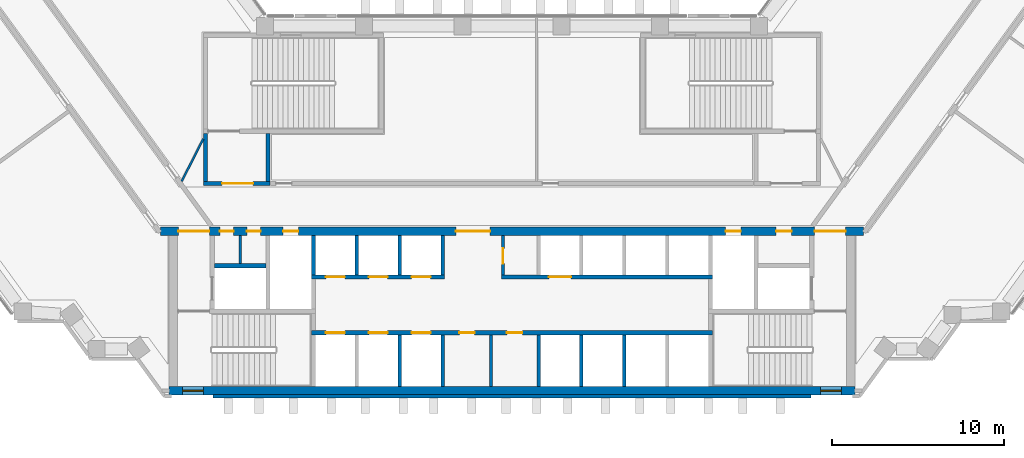
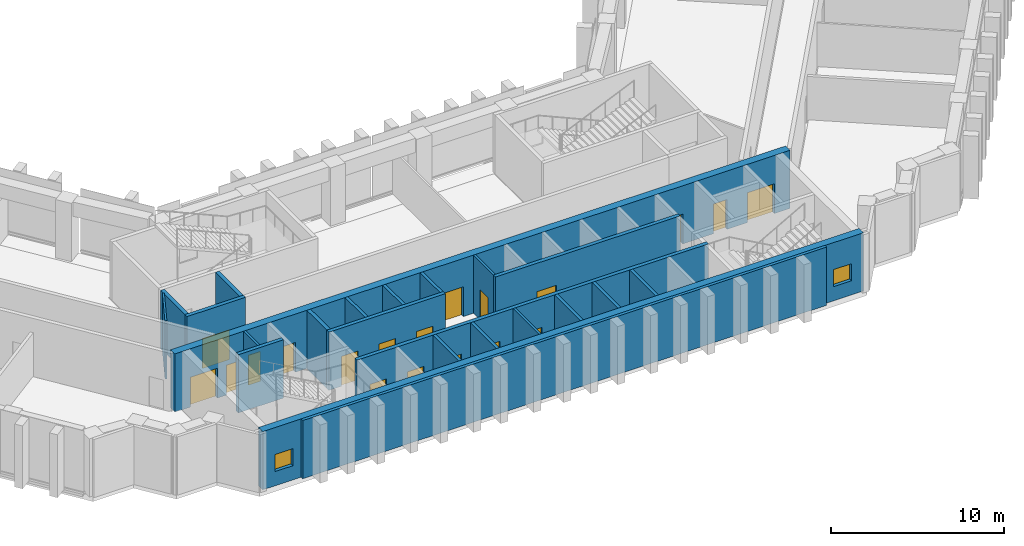
# One storey, part 7 of 15: 23 walls, 19 doors, 2 windows, 21 openings.
"""IFC4 building model written with IfcOpenShell, lengths in metres."""

from ifc_helpers import new_model, si_unit, direction, frame, frame_2d, origin, place, context, subcontext, project, spatial, rectangle, extrude, material, layer, layer_set, type_object, element, fill, save


model = new_model("IFC4")

# Units and contexts
model_context = context("Model", 3, precision=1e-05, world=origin(), true_north=direction((0.0, 1.0)))
body_context = subcontext(model_context, "Body", "Model", "MODEL_VIEW")
ifc_project = project(units=[si_unit("LENGTHUNIT", "METRE"), si_unit("AREAUNIT", "SQUARE_METRE"), si_unit("VOLUMEUNIT", "CUBIC_METRE"), si_unit("PLANEANGLEUNIT", "RADIAN"), si_unit("MASSUNIT", "GRAM", prefix="KILO")], contexts=[model_context])

# Site, building, storey
site_placement = place(None, origin())
site = spatial("IfcSite", under=ifc_project, at=site_placement, CompositionType="ELEMENT")
building_placement = place(site_placement, origin())
building = spatial("IfcBuilding", under=site, at=building_placement, Name="Quipu Civic Tower", CompositionType="ELEMENT")
storey_placement = place(building_placement, frame((0.0, 0.0, 11.5)))
storey = spatial("IfcBuildingStorey", under=building, at=storey_placement, Name="L02", CompositionType="ELEMENT", Elevation=11.5)

# Wall, openings, doors
ifc_material_1 = material(Name="Concrete C70/85", Category="concrete")
ifc_layer_1 = layer(ifc_material_1, 0.25)
ifc_layer_set_1 = layer_set([ifc_layer_1], Name="Concrete C70/85")
wall_type_1 = type_object("IfcWallType", Name="Core wall 250", PredefinedType="SHEAR", material=ifc_layer_set_1)
wall_1_placement = place(storey_placement, frame((11.699951171875, -7.375, 0.0), z_axis=(0.0, 0.0, 1.0), x_axis=(-1.0, 0.0, 0.0)))
wall_1 = element("IfcWall", 1, at=wall_1_placement, inside=storey, type_object=wall_type_1, Name="Core wall", PredefinedType="SHEAR", context=body_context, shape_type="SweptSolid", body=[
    extrude(rectangle(XDim=23.39990234375, YDim=0.25, at=frame_2d((11.699951171875, 0.0))), origin(), (0.0, 0.0, 1.0), 4.10009765625),
])
opening_1_placement = place(wall_1_placement, frame((21.449951171875, 0.0, 0.0)))
opening_1 = element("IfcOpeningElement", 2, at=opening_1_placement, cuts=wall_1, Name="Opening LD-LL1", PredefinedType="OPENING", context=body_context, shape_type="SweptSolid", body=[
    extrude(rectangle(XDim=1.10009765625, YDim=2.10009765625, at=frame_2d((0.550048828125, 1.050048828125))), frame((0.0, 0.135009765625, 0.0), z_axis=(0.0, -1.0, 0.0), x_axis=(1.0, 0.0, 0.0)), (0.0, 0.0, 1.0), 0.27001953125),
])
opening_2_placement = place(wall_1_placement, frame((18.949951171875, 0.0, 0.0)))
opening_2 = element("IfcOpeningElement", 3, at=opening_2_placement, cuts=wall_1, Name="Opening LD-LL2", PredefinedType="OPENING", context=body_context, shape_type="SweptSolid", body=[
    extrude(rectangle(XDim=1.10009765625, YDim=2.10009765625, at=frame_2d((0.550048828125, 1.050048828125))), frame((0.0, 0.135009765625, 0.0), z_axis=(0.0, -1.0, 0.0), x_axis=(1.0, 0.0, 0.0)), (0.0, 0.0, 1.0), 0.27001953125),
])
opening_3_placement = place(wall_1_placement, frame((16.449951171875, 0.0, 0.0)))
opening_3 = element("IfcOpeningElement", 4, at=opening_3_placement, cuts=wall_1, Name="Opening LD-LL3", PredefinedType="OPENING", context=body_context, shape_type="SweptSolid", body=[
    extrude(rectangle(XDim=1.10009765625, YDim=2.10009765625, at=frame_2d((0.550048828125, 1.050048828125))), frame((0.0, 0.135009765625, 0.0), z_axis=(0.0, -1.0, 0.0), x_axis=(1.0, 0.0, 0.0)), (0.0, 0.0, 1.0), 0.27001953125),
])
opening_4_placement = place(wall_1_placement, frame((13.875, 0.0, 0.0)))
opening_4 = element("IfcOpeningElement", 5, at=opening_4_placement, cuts=wall_1, Name="Opening CD-01", PredefinedType="OPENING", context=body_context, shape_type="SweptSolid", body=[
    extrude(rectangle(XDim=0.89990234375, YDim=2.10009765625, at=frame_2d((0.449951171875, 1.050048828125))), frame((0.0, 0.135009765625, 0.0), z_axis=(0.0, -1.0, 0.0), x_axis=(1.0, 0.0, 0.0)), (0.0, 0.0, 1.0), 0.27001953125),
])
opening_5_placement = place(wall_1_placement, frame((11.10009765625, 0.0, 0.0)))
opening_5 = element("IfcOpeningElement", 6, at=opening_5_placement, cuts=wall_1, Name="Opening CD-02", PredefinedType="OPENING", context=body_context, shape_type="SweptSolid", body=[
    extrude(rectangle(XDim=0.89990234375, YDim=2.10009765625, at=frame_2d((0.449951171875, 1.050048828125))), frame((0.0, 0.135009765625, 0.0), z_axis=(0.0, -1.0, 0.0), x_axis=(1.0, 0.0, 0.0)), (0.0, 0.0, 1.0), 0.27001953125),
])
ifc_material_2 = material(Name="Fire rated steel door", Category="steel")
door_type_1 = type_object("IfcDoorType", Name="Fire door FD60 900 x 2100", OperationType="NOTDEFINED", PredefinedType="DOOR", material=ifc_material_2)
door_1_placement = place(opening_4_placement, origin())
door_1 = element("IfcDoor", 7, at=door_1_placement, inside=storey, type_object=door_type_1, Name="WC door", OperationType="SINGLE_SWING_RIGHT", OverallHeight=2.10009765625, OverallWidth=0.89990234375, PredefinedType="DOOR", context=body_context, shape_type="SweptSolid", body=[
    extrude(rectangle(XDim=0.89990234375, YDim=2.10009765625, at=frame_2d((0.449951171875, 1.050048828125))), frame((0.0, 0.02490234375, 0.0), z_axis=(0.0, -1.0, 0.0), x_axis=(1.0, 0.0, 0.0)), (0.0, 0.0, 1.0), 0.050048828125),
])
fill(opening_4, door_1)
door_2_placement = place(opening_5_placement, origin())
door_2 = element("IfcDoor", 8, at=door_2_placement, inside=storey, type_object=door_type_1, Name="WC door", OperationType="SINGLE_SWING_LEFT", OverallHeight=2.10009765625, OverallWidth=0.89990234375, PredefinedType="DOOR", context=body_context, shape_type="SweptSolid", body=[
    extrude(rectangle(XDim=0.89990234375, YDim=2.10009765625, at=frame_2d((0.449951171875, 1.050048828125))), frame((0.0, 0.02490234375, 0.0), z_axis=(0.0, -1.0, 0.0), x_axis=(1.0, 0.0, 0.0)), (0.0, 0.0, 1.0), 0.050048828125),
])
fill(opening_5, door_2)
ifc_material_3 = material(Name="Stainless steel", Category="steel")
door_type_2 = type_object("IfcDoorType", Name="Lift landing door 1100 x 2100", OperationType="DOUBLE_DOOR_SLIDING", PredefinedType="DOOR", material=ifc_material_3)
door_3_placement = place(opening_1_placement, origin())
door_3 = element("IfcDoor", 9, at=door_3_placement, inside=storey, type_object=door_type_2, Name="Landing door LL1", OperationType="DOUBLE_DOOR_SLIDING", OverallHeight=2.10009765625, OverallWidth=1.10009765625, PredefinedType="DOOR", context=body_context, shape_type="SweptSolid", body=[
    extrude(rectangle(XDim=1.10009765625, YDim=2.10009765625, at=frame_2d((0.550048828125, 1.050048828125))), frame((0.0, 0.02490234375, 0.0), z_axis=(0.0, -1.0, 0.0), x_axis=(1.0, 0.0, 0.0)), (0.0, 0.0, 1.0), 0.050048828125),
])
fill(opening_1, door_3)
door_4_placement = place(opening_2_placement, origin())
door_4 = element("IfcDoor", 10, at=door_4_placement, inside=storey, type_object=door_type_2, Name="Landing door LL2", OperationType="DOUBLE_DOOR_SLIDING", OverallHeight=2.10009765625, OverallWidth=1.10009765625, PredefinedType="DOOR", context=body_context, shape_type="SweptSolid", body=[
    extrude(rectangle(XDim=1.10009765625, YDim=2.10009765625, at=frame_2d((0.550048828125, 1.050048828125))), frame((0.0, 0.02490234375, 0.0), z_axis=(0.0, -1.0, 0.0), x_axis=(1.0, 0.0, 0.0)), (0.0, 0.0, 1.0), 0.050048828125),
])
fill(opening_2, door_4)
door_5_placement = place(opening_3_placement, origin())
door_5 = element("IfcDoor", 11, at=door_5_placement, inside=storey, type_object=door_type_2, Name="Landing door LL3", OperationType="DOUBLE_DOOR_SLIDING", OverallHeight=2.10009765625, OverallWidth=1.10009765625, PredefinedType="DOOR", context=body_context, shape_type="SweptSolid", body=[
    extrude(rectangle(XDim=1.10009765625, YDim=2.10009765625, at=frame_2d((0.550048828125, 1.050048828125))), frame((0.0, 0.02490234375, 0.0), z_axis=(0.0, -1.0, 0.0), x_axis=(1.0, 0.0, 0.0)), (0.0, 0.0, 1.0), 0.050048828125),
])
fill(opening_3, door_5)

wall_2_placement = place(storey_placement, frame((-11.699951171875, -4.125, 0.0), z_axis=(0.0, 0.0, 1.0), x_axis=(1.0, 0.0, 0.0)))
wall_2 = element("IfcWall", 12, at=wall_2_placement, inside=storey, type_object=wall_type_1, Name="Core wall", PredefinedType="SHEAR", context=body_context, shape_type="SweptSolid", body=[
    extrude(rectangle(XDim=7.75, YDim=0.25, at=frame_2d((3.875, 0.0))), origin(), (0.0, 0.0, 1.0), 4.10009765625),
])
opening_6_placement = place(wall_2_placement, frame((0.85009765625, 0.0, 0.0)))
opening_6 = element("IfcOpeningElement", 13, at=opening_6_placement, cuts=wall_2, Name="Opening LD-LL4", PredefinedType="OPENING", context=body_context, shape_type="SweptSolid", body=[
    extrude(rectangle(XDim=1.10009765625, YDim=2.10009765625, at=frame_2d((0.550048828125, 1.050048828125))), frame((0.0, 0.135009765625, 0.0), z_axis=(0.0, -1.0, 0.0), x_axis=(1.0, 0.0, 0.0)), (0.0, 0.0, 1.0), 0.27001953125),
])
opening_7_placement = place(wall_2_placement, frame((3.35009765625, 0.0, 0.0)))
opening_7 = element("IfcOpeningElement", 14, at=opening_7_placement, cuts=wall_2, Name="Opening LD-LL5", PredefinedType="OPENING", context=body_context, shape_type="SweptSolid", body=[
    extrude(rectangle(XDim=1.10009765625, YDim=2.10009765625, at=frame_2d((0.550048828125, 1.050048828125))), frame((0.0, 0.135009765625, 0.0), z_axis=(0.0, -1.0, 0.0), x_axis=(1.0, 0.0, 0.0)), (0.0, 0.0, 1.0), 0.27001953125),
])
opening_8_placement = place(wall_2_placement, frame((5.85009765625, 0.0, 0.0)))
opening_8 = element("IfcOpeningElement", 15, at=opening_8_placement, cuts=wall_2, Name="Opening LD-LL6", PredefinedType="OPENING", context=body_context, shape_type="SweptSolid", body=[
    extrude(rectangle(XDim=1.10009765625, YDim=2.10009765625, at=frame_2d((0.550048828125, 1.050048828125))), frame((0.0, 0.135009765625, 0.0), z_axis=(0.0, -1.0, 0.0), x_axis=(1.0, 0.0, 0.0)), (0.0, 0.0, 1.0), 0.27001953125),
])
door_6_placement = place(opening_6_placement, origin())
door_6 = element("IfcDoor", 16, at=door_6_placement, inside=storey, type_object=door_type_2, Name="Landing door LL4", OperationType="DOUBLE_DOOR_SLIDING", OverallHeight=2.10009765625, OverallWidth=1.10009765625, PredefinedType="DOOR", context=body_context, shape_type="SweptSolid", body=[
    extrude(rectangle(XDim=1.10009765625, YDim=2.10009765625, at=frame_2d((0.550048828125, 1.050048828125))), frame((0.0, 0.02490234375, 0.0), z_axis=(0.0, -1.0, 0.0), x_axis=(1.0, 0.0, 0.0)), (0.0, 0.0, 1.0), 0.050048828125),
])
fill(opening_6, door_6)
door_7_placement = place(opening_7_placement, origin())
door_7 = element("IfcDoor", 17, at=door_7_placement, inside=storey, type_object=door_type_2, Name="Landing door LL5", OperationType="DOUBLE_DOOR_SLIDING", OverallHeight=2.10009765625, OverallWidth=1.10009765625, PredefinedType="DOOR", context=body_context, shape_type="SweptSolid", body=[
    extrude(rectangle(XDim=1.10009765625, YDim=2.10009765625, at=frame_2d((0.550048828125, 1.050048828125))), frame((0.0, 0.02490234375, 0.0), z_axis=(0.0, -1.0, 0.0), x_axis=(1.0, 0.0, 0.0)), (0.0, 0.0, 1.0), 0.050048828125),
])
fill(opening_7, door_7)
door_8_placement = place(opening_8_placement, origin())
door_8 = element("IfcDoor", 18, at=door_8_placement, inside=storey, type_object=door_type_2, Name="Landing door LL6", OperationType="DOUBLE_DOOR_SLIDING", OverallHeight=2.10009765625, OverallWidth=1.10009765625, PredefinedType="DOOR", context=body_context, shape_type="SweptSolid", body=[
    extrude(rectangle(XDim=1.10009765625, YDim=2.10009765625, at=frame_2d((0.550048828125, 1.050048828125))), frame((0.0, 0.02490234375, 0.0), z_axis=(0.0, -1.0, 0.0), x_axis=(1.0, 0.0, 0.0)), (0.0, 0.0, 1.0), 0.050048828125),
])
fill(opening_8, door_8)

# Wall, opening, door
wall_3_placement = place(storey_placement, frame((-0.60009765625, -4.125, 0.0), z_axis=(0.0, 0.0, 1.0), x_axis=(1.0, 0.0, 0.0)))
wall_3 = element("IfcWall", 19, at=wall_3_placement, inside=storey, type_object=wall_type_1, Name="Core wall", PredefinedType="SHEAR", context=body_context, shape_type="SweptSolid", body=[
    extrude(rectangle(XDim=12.300048828125, YDim=0.25, at=frame_2d((6.14990234375, 0.0))), origin(), (0.0, 0.0, 1.0), 4.10009765625),
])
opening_9_placement = place(wall_3_placement, frame((2.75, 0.0, 0.0)))
opening_9 = element("IfcOpeningElement", 20, at=opening_9_placement, cuts=wall_3, Name="Opening LD-FF3", PredefinedType="OPENING", context=body_context, shape_type="SweptSolid", body=[
    extrude(rectangle(XDim=1.300048828125, YDim=2.10009765625, at=frame_2d((0.64990234375, 1.050048828125))), frame((0.0, 0.135009765625, 0.0), z_axis=(0.0, -1.0, 0.0), x_axis=(1.0, 0.0, 0.0)), (0.0, 0.0, 1.0), 0.27001953125),
])
ifc_material_4 = material(Name="Stainless steel", Category="steel")
door_type_3 = type_object("IfcDoorType", Name="Lift landing door 1300 x 2100", OperationType="DOUBLE_DOOR_SLIDING", PredefinedType="DOOR", material=ifc_material_4)
door_9_placement = place(opening_9_placement, origin())
door_9 = element("IfcDoor", 21, at=door_9_placement, inside=storey, type_object=door_type_3, Name="Landing door FF3", OperationType="DOUBLE_DOOR_SLIDING", OverallHeight=2.10009765625, OverallWidth=1.300048828125, PredefinedType="DOOR", context=body_context, shape_type="SweptSolid", body=[
    extrude(rectangle(XDim=1.300048828125, YDim=2.10009765625, at=frame_2d((0.64990234375, 1.050048828125))), frame((0.0, 0.02490234375, 0.0), z_axis=(0.0, -1.0, 0.0), x_axis=(1.0, 0.0, 0.0)), (0.0, 0.0, 1.0), 0.050048828125),
])
fill(opening_9, door_9)

# Walls
wall_4_placement = place(storey_placement, frame((-11.574951171875, -4.0, 0.0), z_axis=(0.0, 0.0, 1.0), x_axis=(0.0, 1.0, 0.0)))
element("IfcWall", 22, at=wall_4_placement, inside=storey, type_object=wall_type_1, Name="Core wall", PredefinedType="SHEAR", context=body_context, shape_type="SweptSolid", body=[
    extrude(rectangle(XDim=2.300048828125, YDim=0.25, at=frame_2d((1.14990234375, 0.0))), origin(), (0.0, 0.0, 1.0), 4.10009765625),
])
wall_5_placement = place(storey_placement, frame((-17.35009765625, -3.47509765625, 0.0), z_axis=(0.0, 0.0, 1.0), x_axis=(1.0, 0.0, 0.0)))
element("IfcWall", 23, at=wall_5_placement, inside=storey, type_object=wall_type_1, Name="Core wall", PredefinedType="SHEAR", context=body_context, shape_type="SweptSolid", body=[
    extrude(rectangle(XDim=3.0, YDim=0.25, at=frame_2d((1.5, 0.0))), origin(), (0.0, 0.0, 1.0), 4.10009765625),
])

# Wall, opening, door
wall_6_placement = place(storey_placement, frame((-18.0, 1.324951171875, 0.0), z_axis=(0.0, 0.0, 1.0), x_axis=(1.0, 0.0, 0.0)))
wall_6 = element("IfcWall", 24, at=wall_6_placement, inside=storey, type_object=wall_type_1, Name="Core wall", PredefinedType="SHEAR", context=body_context, shape_type="SweptSolid", body=[
    extrude(rectangle(XDim=3.89990234375, YDim=0.25, at=frame_2d((1.949951171875, 0.0))), origin(), (0.0, 0.0, 1.0), 4.10009765625),
])
opening_10_placement = place(wall_6_placement, frame((1.10009765625, 0.0, 0.0)))
opening_10 = element("IfcOpeningElement", 25, at=opening_10_placement, cuts=wall_6, Name="Opening CD-14", PredefinedType="OPENING", context=body_context, shape_type="SweptSolid", body=[
    extrude(rectangle(XDim=1.800048828125, YDim=2.10009765625, at=frame_2d((0.89990234375, 1.050048828125))), frame((0.0, 0.135009765625, 0.0), z_axis=(0.0, -1.0, 0.0), x_axis=(1.0, 0.0, 0.0)), (0.0, 0.0, 1.0), 0.27001953125),
])
ifc_material_5 = material(Name="Fire rated steel door", Category="steel")
door_type_4 = type_object("IfcDoorType", Name="Fire door FD90 double 1800 x 2100", OperationType="NOTDEFINED", PredefinedType="DOOR", material=ifc_material_5)
door_10_placement = place(opening_10_placement, origin())
door_10 = element("IfcDoor", 26, at=door_10_placement, inside=storey, type_object=door_type_4, Name="Lobby door", OperationType="DOUBLE_DOOR_SINGLE_SWING", OverallHeight=2.10009765625, OverallWidth=1.800048828125, PredefinedType="DOOR", context=body_context, shape_type="SweptSolid", body=[
    extrude(rectangle(XDim=1.800048828125, YDim=2.10009765625, at=frame_2d((0.89990234375, 1.050048828125))), frame((0.0, 0.02490234375, 0.0), z_axis=(0.0, -1.0, 0.0), x_axis=(1.0, 0.0, 0.0)), (0.0, 0.0, 1.0), 0.050048828125),
])
fill(opening_10, door_10)

# Walls
for number, where, z_axis, x_axis, name in (
    (27, (-17.875, 1.449951171875, 0.0), (0.0, 0.0, 1.0), (0.0, 1.0, 0.0), "Core wall"),
    (28, (-14.22509765625, 1.449951171875, 0.0), (0.0, 0.0, 1.0), (0.0, 1.0, 0.0), "Core wall"),
):
    element("IfcWall", number, at=place(storey_placement, frame(where, z_axis=z_axis, x_axis=x_axis)), inside=storey, type_object=wall_type_1, Name=name, PredefinedType="SHEAR", context=body_context, shape_type="SweptSolid", body=[
        extrude(rectangle(XDim=2.800048828125, YDim=0.25, at=frame_2d((1.39990234375, 0.0))), origin(), (0.0, 0.0, 1.0), 4.10009765625),
    ])

# Wall, openings, windows
ifc_material_6 = material(Name="Concrete C70/85", Category="concrete")
ifc_layer_2 = layer(ifc_material_6, 0.5)
ifc_layer_set_2 = layer_set([ifc_layer_2], Name="Concrete C70/85")
wall_type_2 = type_object("IfcWallType", Name="Core wall 500", PredefinedType="SHEAR", material=ifc_layer_set_2)
wall_7_placement = place(storey_placement, frame((-20.0, -10.75, 0.0), z_axis=(0.0, 0.0, 1.0), x_axis=(1.0, 0.0, 0.0)))
wall_7 = element("IfcWall", 29, at=wall_7_placement, inside=storey, type_object=wall_type_2, Name="Core wall", PredefinedType="SHEAR", context=body_context, shape_type="SweptSolid", body=[
    extrude(rectangle(XDim=40.0, YDim=0.5, at=frame_2d((20.0, 0.0))), origin(), (0.0, 0.0, 1.0), 4.10009765625),
])
opening_11_placement = place(wall_7_placement, frame((0.800048828125, 0.0, 1.0)))
opening_11 = element("IfcOpeningElement", 30, at=opening_11_placement, cuts=wall_7, Name="Opening SV-1", PredefinedType="OPENING", context=body_context, shape_type="SweptSolid", body=[
    extrude(rectangle(XDim=1.199951171875, YDim=1.199951171875, at=frame_2d((0.60009765625, 0.60009765625))), frame((0.0, 0.260009765625, 0.0), z_axis=(0.0, -1.0, 0.0), x_axis=(1.0, 0.0, 0.0)), (0.0, 0.0, 1.0), 0.52001953125),
])
opening_12_placement = place(wall_7_placement, frame((38.0, 0.0, 1.0)))
opening_12 = element("IfcOpeningElement", 31, at=opening_12_placement, cuts=wall_7, Name="Opening SV-2", PredefinedType="OPENING", context=body_context, shape_type="SweptSolid", body=[
    extrude(rectangle(XDim=1.199951171875, YDim=1.199951171875, at=frame_2d((0.60009765625, 0.60009765625))), frame((0.0, 0.260009765625, 0.0), z_axis=(0.0, -1.0, 0.0), x_axis=(1.0, 0.0, 0.0)), (0.0, 0.0, 1.0), 0.52001953125),
])
ifc_material_7 = material(Name="Aluminium louvre", Category="aluminium")
window_type = type_object("IfcWindowType", Name="Stair ventilation louvre 1200 x 1200", PartitioningType="SINGLE_PANEL", PredefinedType="WINDOW", material=ifc_material_7)
window_1_placement = place(opening_11_placement, origin())
window_1 = element("IfcWindow", 32, at=window_1_placement, inside=storey, type_object=window_type, Name="Stair ventilation opening", OverallHeight=1.199951171875, OverallWidth=1.199951171875, PartitioningType="SINGLE_PANEL", PredefinedType="WINDOW", context=body_context, shape_type="SweptSolid", body=[
    extrude(rectangle(XDim=1.199951171875, YDim=1.199951171875, at=frame_2d((0.60009765625, 0.60009765625))), frame((0.0, 0.030029296875, 0.0), z_axis=(0.0, -1.0, 0.0), x_axis=(1.0, 0.0, 0.0)), (0.0, 0.0, 1.0), 0.06005859375),
])
fill(opening_11, window_1)
window_2_placement = place(opening_12_placement, origin())
window_2 = element("IfcWindow", 33, at=window_2_placement, inside=storey, type_object=window_type, Name="Stair ventilation opening", OverallHeight=1.199951171875, OverallWidth=1.199951171875, PartitioningType="SINGLE_PANEL", PredefinedType="WINDOW", context=body_context, shape_type="SweptSolid", body=[
    extrude(rectangle(XDim=1.199951171875, YDim=1.199951171875, at=frame_2d((0.60009765625, 0.60009765625))), frame((0.0, 0.030029296875, 0.0), z_axis=(0.0, -1.0, 0.0), x_axis=(1.0, 0.0, 0.0)), (0.0, 0.0, 1.0), 0.06005859375),
])
fill(opening_12, window_2)

# Wall, openings, doors
wall_8_placement = place(storey_placement, frame((20.489990234375, -1.449951171875, 0.0), z_axis=(0.0, 0.0, 1.0), x_axis=(-1.0, 0.0, 0.0)))
wall_8 = element("IfcWall", 34, at=wall_8_placement, inside=storey, type_object=wall_type_2, Name="Core wall", PredefinedType="SHEAR", context=body_context, shape_type="SweptSolid", body=[
    extrude(rectangle(XDim=40.97998046875, YDim=0.5, at=frame_2d((20.489990234375, 0.0))), origin(), (0.0, 0.0, 1.0), 4.10009765625),
])
opening_13_placement = place(wall_8_placement, frame((38.139892578125, 0.0, 0.0)))
opening_13 = element("IfcOpeningElement", 35, at=opening_13_placement, cuts=wall_8, Name="Opening CD-06", PredefinedType="OPENING", context=body_context, shape_type="SweptSolid", body=[
    extrude(rectangle(XDim=1.800048828125, YDim=2.10009765625, at=frame_2d((0.89990234375, 1.050048828125))), frame((0.0, 0.260009765625, 0.0), z_axis=(0.0, -1.0, 0.0), x_axis=(1.0, 0.0, 0.0)), (0.0, 0.0, 1.0), 0.52001953125),
])
opening_14_placement = place(wall_8_placement, frame((36.7275390625, 0.0, 0.0)))
opening_14 = element("IfcOpeningElement", 36, at=opening_14_placement, cuts=wall_8, Name="Opening CD-07", PredefinedType="OPENING", context=body_context, shape_type="SweptSolid", body=[
    extrude(rectangle(XDim=0.800048828125, YDim=2.10009765625, at=frame_2d((0.39990234375, 1.050048828125))), frame((0.0, 0.260009765625, 0.0), z_axis=(0.0, -1.0, 0.0), x_axis=(1.0, 0.0, 0.0)), (0.0, 0.0, 1.0), 0.52001953125),
])
opening_15_placement = place(wall_8_placement, frame((35.152587890625, 0.0, 0.0)))
opening_15 = element("IfcOpeningElement", 37, at=opening_15_placement, cuts=wall_8, Name="Opening CD-08", PredefinedType="OPENING", context=body_context, shape_type="SweptSolid", body=[
    extrude(rectangle(XDim=0.800048828125, YDim=2.10009765625, at=frame_2d((0.39990234375, 1.050048828125))), frame((0.0, 0.260009765625, 0.0), z_axis=(0.0, -1.0, 0.0), x_axis=(1.0, 0.0, 0.0)), (0.0, 0.0, 1.0), 0.52001953125),
])
opening_16_placement = place(wall_8_placement, frame((32.93994140625, 0.0, 0.0)))
opening_16 = element("IfcOpeningElement", 38, at=opening_16_placement, cuts=wall_8, Name="Opening CD-09", PredefinedType="OPENING", context=body_context, shape_type="SweptSolid", body=[
    extrude(rectangle(XDim=0.89990234375, YDim=2.10009765625, at=frame_2d((0.449951171875, 1.050048828125))), frame((0.0, 0.260009765625, 0.0), z_axis=(0.0, -1.0, 0.0), x_axis=(1.0, 0.0, 0.0)), (0.0, 0.0, 1.0), 0.52001953125),
])
opening_17_placement = place(wall_8_placement, frame((21.764892578125, 0.0, 0.0)))
opening_17 = element("IfcOpeningElement", 39, at=opening_17_placement, cuts=wall_8, Name="Opening CD-10", PredefinedType="OPENING", context=body_context, shape_type="SweptSolid", body=[
    extrude(rectangle(XDim=2.0, YDim=2.10009765625, at=frame_2d((1.0, 1.050048828125))), frame((0.0, 0.260009765625, 0.0), z_axis=(0.0, -1.0, 0.0), x_axis=(1.0, 0.0, 0.0)), (0.0, 0.0, 1.0), 0.52001953125),
])
opening_18_placement = place(wall_8_placement, frame((7.139892578125, 0.0, 0.0)))
opening_18 = element("IfcOpeningElement", 40, at=opening_18_placement, cuts=wall_8, Name="Opening CD-11", PredefinedType="OPENING", context=body_context, shape_type="SweptSolid", body=[
    extrude(rectangle(XDim=0.89990234375, YDim=2.10009765625, at=frame_2d((0.449951171875, 1.050048828125))), frame((0.0, 0.260009765625, 0.0), z_axis=(0.0, -1.0, 0.0), x_axis=(1.0, 0.0, 0.0)), (0.0, 0.0, 1.0), 0.52001953125),
])
opening_19_placement = place(wall_8_placement, frame((4.18994140625, 0.0, 0.0)))
opening_19 = element("IfcOpeningElement", 41, at=opening_19_placement, cuts=wall_8, Name="Opening CD-12", PredefinedType="OPENING", context=body_context, shape_type="SweptSolid", body=[
    extrude(rectangle(XDim=0.89990234375, YDim=2.10009765625, at=frame_2d((0.449951171875, 1.050048828125))), frame((0.0, 0.260009765625, 0.0), z_axis=(0.0, -1.0, 0.0), x_axis=(1.0, 0.0, 0.0)), (0.0, 0.0, 1.0), 0.52001953125),
])
opening_20_placement = place(wall_8_placement, frame((1.0400390625, 0.0, 0.0)))
opening_20 = element("IfcOpeningElement", 42, at=opening_20_placement, cuts=wall_8, Name="Opening CD-13", PredefinedType="OPENING", context=body_context, shape_type="SweptSolid", body=[
    extrude(rectangle(XDim=1.800048828125, YDim=2.10009765625, at=frame_2d((0.89990234375, 1.050048828125))), frame((0.0, 0.260009765625, 0.0), z_axis=(0.0, -1.0, 0.0), x_axis=(1.0, 0.0, 0.0)), (0.0, 0.0, 1.0), 0.52001953125),
])
ifc_material_8 = material(Name="Fire rated steel door", Category="steel")
door_type_5 = type_object("IfcDoorType", Name="Fire door FD60 800 x 2100", OperationType="NOTDEFINED", PredefinedType="DOOR", material=ifc_material_8)
door_11_placement = place(opening_14_placement, origin())
door_11 = element("IfcDoor", 43, at=door_11_placement, inside=storey, type_object=door_type_5, Name="Door", OperationType="SINGLE_SWING_RIGHT", OverallHeight=2.10009765625, OverallWidth=0.800048828125, PredefinedType="DOOR", context=body_context, shape_type="SweptSolid", body=[
    extrude(rectangle(XDim=0.800048828125, YDim=2.10009765625, at=frame_2d((0.39990234375, 1.050048828125))), frame((0.0, 0.02490234375, 0.0), z_axis=(0.0, -1.0, 0.0), x_axis=(1.0, 0.0, 0.0)), (0.0, 0.0, 1.0), 0.050048828125),
])
fill(opening_14, door_11)
door_12_placement = place(opening_15_placement, origin())
door_12 = element("IfcDoor", 44, at=door_12_placement, inside=storey, type_object=door_type_5, Name="Door", OperationType="SINGLE_SWING_RIGHT", OverallHeight=2.10009765625, OverallWidth=0.800048828125, PredefinedType="DOOR", context=body_context, shape_type="SweptSolid", body=[
    extrude(rectangle(XDim=0.800048828125, YDim=2.10009765625, at=frame_2d((0.39990234375, 1.050048828125))), frame((0.0, 0.02490234375, 0.0), z_axis=(0.0, -1.0, 0.0), x_axis=(1.0, 0.0, 0.0)), (0.0, 0.0, 1.0), 0.050048828125),
])
fill(opening_15, door_12)
door_13_placement = place(opening_16_placement, origin())
door_13 = element("IfcDoor", 45, at=door_13_placement, inside=storey, type_object=door_type_1, Name="Riser door", OperationType="SINGLE_SWING_RIGHT", OverallHeight=2.10009765625, OverallWidth=0.89990234375, PredefinedType="DOOR", context=body_context, shape_type="SweptSolid", body=[
    extrude(rectangle(XDim=0.89990234375, YDim=2.10009765625, at=frame_2d((0.449951171875, 1.050048828125))), frame((0.0, 0.02490234375, 0.0), z_axis=(0.0, -1.0, 0.0), x_axis=(1.0, 0.0, 0.0)), (0.0, 0.0, 1.0), 0.050048828125),
])
fill(opening_16, door_13)
door_14_placement = place(opening_18_placement, origin())
door_14 = element("IfcDoor", 46, at=door_14_placement, inside=storey, type_object=door_type_1, Name="Riser door", OperationType="SINGLE_SWING_LEFT", OverallHeight=2.10009765625, OverallWidth=0.89990234375, PredefinedType="DOOR", context=body_context, shape_type="SweptSolid", body=[
    extrude(rectangle(XDim=0.89990234375, YDim=2.10009765625, at=frame_2d((0.449951171875, 1.050048828125))), frame((0.0, 0.02490234375, 0.0), z_axis=(0.0, -1.0, 0.0), x_axis=(1.0, 0.0, 0.0)), (0.0, 0.0, 1.0), 0.050048828125),
])
fill(opening_18, door_14)
door_15_placement = place(opening_19_placement, origin())
door_15 = element("IfcDoor", 47, at=door_15_placement, inside=storey, type_object=door_type_1, Name="Door", OperationType="SINGLE_SWING_LEFT", OverallHeight=2.10009765625, OverallWidth=0.89990234375, PredefinedType="DOOR", context=body_context, shape_type="SweptSolid", body=[
    extrude(rectangle(XDim=0.89990234375, YDim=2.10009765625, at=frame_2d((0.449951171875, 1.050048828125))), frame((0.0, 0.02490234375, 0.0), z_axis=(0.0, -1.0, 0.0), x_axis=(1.0, 0.0, 0.0)), (0.0, 0.0, 1.0), 0.050048828125),
])
fill(opening_19, door_15)
door_16_placement = place(opening_13_placement, origin())
door_16 = element("IfcDoor", 48, at=door_16_placement, inside=storey, type_object=door_type_4, Name="Lobby door", OperationType="DOUBLE_DOOR_SINGLE_SWING", OverallHeight=2.10009765625, OverallWidth=1.800048828125, PredefinedType="DOOR", context=body_context, shape_type="SweptSolid", body=[
    extrude(rectangle(XDim=1.800048828125, YDim=2.10009765625, at=frame_2d((0.89990234375, 1.050048828125))), frame((0.0, 0.02490234375, 0.0), z_axis=(0.0, -1.0, 0.0), x_axis=(1.0, 0.0, 0.0)), (0.0, 0.0, 1.0), 0.050048828125),
])
fill(opening_13, door_16)
door_17_placement = place(opening_20_placement, origin())
door_17 = element("IfcDoor", 49, at=door_17_placement, inside=storey, type_object=door_type_4, Name="Lobby door", OperationType="DOUBLE_DOOR_SINGLE_SWING", OverallHeight=2.10009765625, OverallWidth=1.800048828125, PredefinedType="DOOR", context=body_context, shape_type="SweptSolid", body=[
    extrude(rectangle(XDim=1.800048828125, YDim=2.10009765625, at=frame_2d((0.89990234375, 1.050048828125))), frame((0.0, 0.02490234375, 0.0), z_axis=(0.0, -1.0, 0.0), x_axis=(1.0, 0.0, 0.0)), (0.0, 0.0, 1.0), 0.050048828125),
])
fill(opening_20, door_17)
ifc_material_9 = material(Name="Fire rated steel door", Category="steel")
door_type_6 = type_object("IfcDoorType", Name="Fire door FD90 double 2000 x 2100", OperationType="NOTDEFINED", PredefinedType="DOOR", material=ifc_material_9)
door_18_placement = place(opening_17_placement, origin())
door_18 = element("IfcDoor", 50, at=door_18_placement, inside=storey, type_object=door_type_6, Name="Lobby door", OperationType="DOUBLE_DOOR_SINGLE_SWING", OverallHeight=2.10009765625, OverallWidth=2.0, PredefinedType="DOOR", context=body_context, shape_type="SweptSolid", body=[
    extrude(rectangle(XDim=2.0, YDim=2.10009765625, at=frame_2d((1.0, 1.050048828125))), frame((0.0, 0.02490234375, 0.0), z_axis=(0.0, -1.0, 0.0), x_axis=(1.0, 0.0, 0.0)), (0.0, 0.0, 1.0), 0.050048828125),
])
fill(opening_17, door_18)

# Walls
ifc_material_10 = material(Name="Gypsum plasterboard on light gauge framing")
ifc_layer_3 = layer(ifc_material_10, 0.1201171875)
ifc_layer_set_3 = layer_set([ifc_layer_3], Name="Gypsum plasterboard on light gauge framing")
wall_type_3 = type_object("IfcWallType", Name="Partition 120 plasterboard", PredefinedType="PARTITIONING", material=ifc_layer_set_3)
wall_9_placement = place(storey_placement, frame((-19.260986328125, 1.449951171875, 0.0), z_axis=(0.0, 0.0, 1.0), x_axis=(0.453950796792, 0.891026752736, 0.0)))
element("IfcWall", 51, at=wall_9_placement, inside=storey, type_object=wall_type_3, Name="Partition P17", PredefinedType="PARTITIONING", context=body_context, shape_type="SweptSolid", body=[
    extrude(rectangle(XDim=2.77783203125, YDim=0.1201171875, at=frame_2d((1.388916015625, 0.0))), origin(), (0.0, 0.0, 1.0), 4.10009765625),
])
ifc_material_11 = material(Name="Gypsum board partition")
ifc_layer_4 = layer(ifc_material_11, 0.14990234375)
ifc_layer_set_4 = layer_set([ifc_layer_4], Name="Gypsum board partition")
wall_type_4 = type_object("IfcWallType", Name="Partition 150", PredefinedType="PARTITIONING", material=ifc_layer_set_4)
wall_10_placement = place(storey_placement, frame((-1.22509765625, -10.5, 0.0), z_axis=(0.0, 0.0, 1.0), x_axis=(0.0, 1.0, 0.0)))
element("IfcWall", 52, at=wall_10_placement, inside=storey, type_object=wall_type_4, Name="Partition", PredefinedType="PARTITIONING", context=body_context, shape_type="SweptSolid", body=[
    extrude(rectangle(XDim=3.0, YDim=0.14990234375, at=frame_2d((1.5, 0.0))), origin(), (0.0, 0.0, 1.0), 4.10009765625),
])

# Wall, opening, door
wall_11_placement = place(storey_placement, frame((-0.52490234375, -4.0, 0.0), z_axis=(0.0, 0.0, 1.0), x_axis=(0.0, 1.0, 0.0)))
wall_11 = element("IfcWall", 53, at=wall_11_placement, inside=storey, type_object=wall_type_4, Name="Partition", PredefinedType="PARTITIONING", context=body_context, shape_type="SweptSolid", body=[
    extrude(rectangle(XDim=2.300048828125, YDim=0.14990234375, at=frame_2d((1.14990234375, 0.0))), origin(), (0.0, 0.0, 1.0), 4.10009765625),
])
opening_21_placement = place(wall_11_placement, frame((0.64990234375, 0.0, 0.0)))
opening_21 = element("IfcOpeningElement", 54, at=opening_21_placement, cuts=wall_11, Name="Opening CD-05", PredefinedType="OPENING", context=body_context, shape_type="SweptSolid", body=[
    extrude(rectangle(XDim=0.89990234375, YDim=2.10009765625, at=frame_2d((0.449951171875, 1.050048828125))), frame((0.0, 0.0849609375, 0.0), z_axis=(0.0, -1.0, 0.0), x_axis=(1.0, 0.0, 0.0)), (0.0, 0.0, 1.0), 0.169921875),
])
door_19_placement = place(opening_21_placement, origin())
door_19 = element("IfcDoor", 55, at=door_19_placement, inside=storey, type_object=door_type_1, Name="WC door", OperationType="SINGLE_SWING_LEFT", OverallHeight=2.10009765625, OverallWidth=0.89990234375, PredefinedType="DOOR", context=body_context, shape_type="SweptSolid", body=[
    extrude(rectangle(XDim=0.89990234375, YDim=2.10009765625, at=frame_2d((0.449951171875, 1.050048828125))), frame((0.0, 0.02490234375, 0.0), z_axis=(0.0, -1.0, 0.0), x_axis=(1.0, 0.0, 0.0)), (0.0, 0.0, 1.0), 0.050048828125),
])
fill(opening_21, door_19)

# Walls
wall_12_placement = place(storey_placement, frame((-15.85009765625, -3.35009765625, 0.0), z_axis=(0.0, 0.0, 1.0), x_axis=(0.0, 1.0, 0.0)))
element("IfcWall", 56, at=wall_12_placement, inside=storey, type_object=wall_type_4, Name="Partition", PredefinedType="PARTITIONING", context=body_context, shape_type="SweptSolid", body=[
    extrude(rectangle(XDim=1.650146484375, YDim=0.14990234375, at=frame_2d((0.8251953125, 0.0))), origin(), (0.0, 0.0, 1.0), 4.10009765625),
])
ifc_material_12 = material(Name="Precast concrete C40/50", Category="concrete")
wall_type_5 = type_object("IfcWallType", Name="Precast cladding wall", PredefinedType="SOLIDWALL", material=ifc_material_12)
wall_13_placement = place(storey_placement, frame((-17.44384765625, -11.087890625, 0.0), z_axis=(0.0, 0.0, 1.0), x_axis=(1.0, 0.0, 0.0)))
element("IfcWall", 57, at=wall_13_placement, inside=storey, type_object=wall_type_5, Name="Precast cladding wall L02 25", PredefinedType="SOLIDWALL", context=body_context, shape_type="SweptSolid", body=[
    extrude(rectangle(XDim=34.8876953125, YDim=0.199951171875, at=frame_2d((17.44384765625, 0.0))), origin(), (0.0, 0.0, 1.0), 4.10009765625),
])
ifc_material_13 = material(Name="Concrete C40/50", Category="concrete")
ifc_layer_5 = layer(ifc_material_13, 0.199951171875)
ifc_layer_set_5 = layer_set([ifc_layer_5], Name="Concrete C40/50")
wall_type_6 = type_object("IfcWallType", Name="Shaft wall 200", PredefinedType="SOLIDWALL", material=ifc_layer_set_5)
for number, where, z_axis, x_axis, name in (
    (58, (-6.550048828125, -10.5, 0.0), (0.0, 0.0, 1.0), (0.0, 1.0, 0.0), "Shaft wall"),
    (59, (-4.050048828125, -10.5, 0.0), (0.0, 0.0, 1.0), (0.0, 1.0, 0.0), "Shaft wall"),
    (60, (1.550048828125, -10.5, 0.0), (0.0, 0.0, 1.0), (0.0, 1.0, 0.0), "Shaft wall"),
    (61, (4.050048828125, -10.5, 0.0), (0.0, 0.0, 1.0), (0.0, 1.0, 0.0), "Shaft wall"),
    (62, (6.550048828125, -10.5, 0.0), (0.0, 0.0, 1.0), (0.0, 1.0, 0.0), "Shaft wall"),
):
    element("IfcWall", number, at=place(storey_placement, frame(where, z_axis=z_axis, x_axis=x_axis)), inside=storey, type_object=wall_type_6, Name=name, PredefinedType="SOLIDWALL", context=body_context, shape_type="SweptSolid", body=[
        extrude(rectangle(XDim=3.0, YDim=0.199951171875, at=frame_2d((1.5, 0.0))), origin(), (0.0, 0.0, 1.0), 4.10009765625),
    ])
for number, where, z_axis, x_axis, name in (
    (63, (-9.050048828125, -4.0, 0.0), (0.0, 0.0, 1.0), (0.0, 1.0, 0.0), "Shaft wall"),
    (64, (-6.550048828125, -4.0, 0.0), (0.0, 0.0, 1.0), (0.0, 1.0, 0.0), "Shaft wall"),
    (65, (-4.050048828125, -4.0, 0.0), (0.0, 0.0, 1.0), (0.0, 1.0, 0.0), "Shaft wall"),
):
    element("IfcWall", number, at=place(storey_placement, frame(where, z_axis=z_axis, x_axis=x_axis)), inside=storey, type_object=wall_type_6, Name=name, PredefinedType="SOLIDWALL", context=body_context, shape_type="SweptSolid", body=[
        extrude(rectangle(XDim=2.300048828125, YDim=0.199951171875, at=frame_2d((1.14990234375, 0.0))), origin(), (0.0, 0.0, 1.0), 4.10009765625),
    ])

save(model, "model.ifc")
